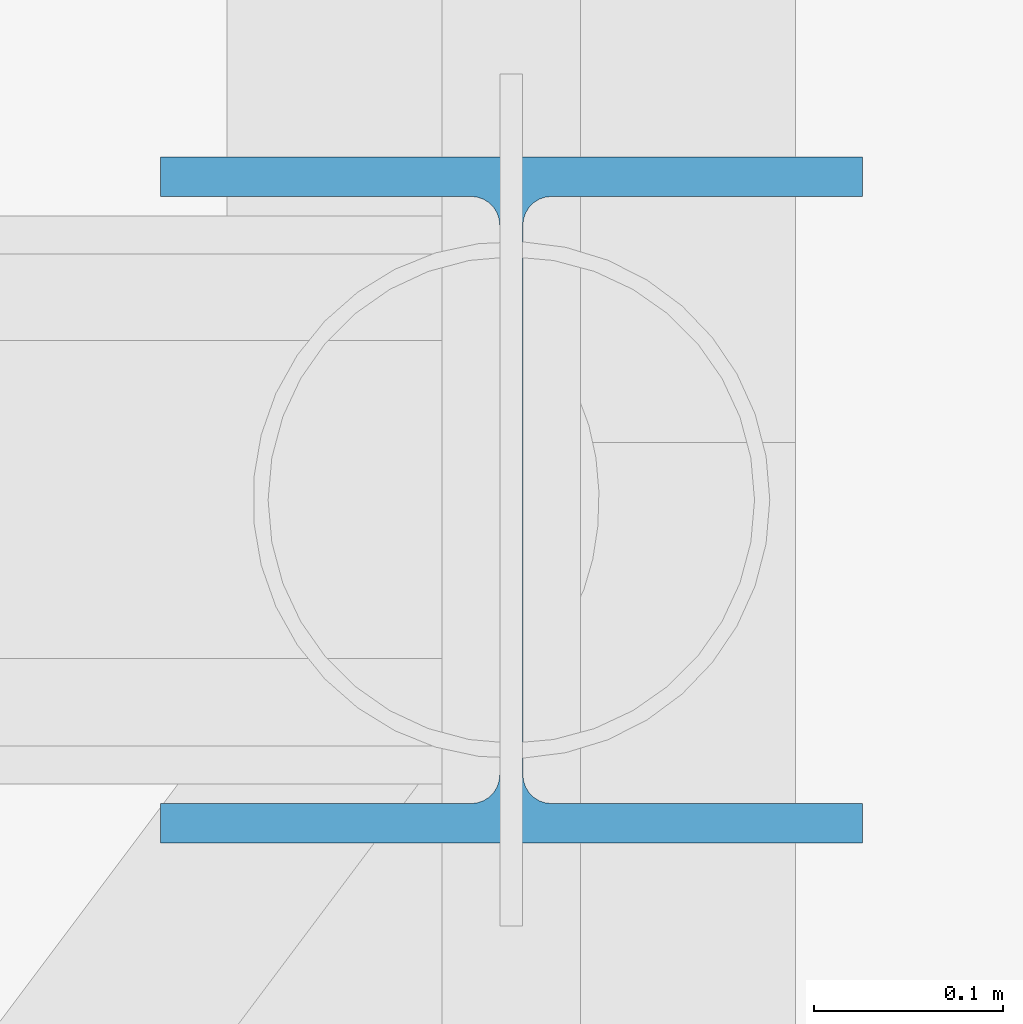
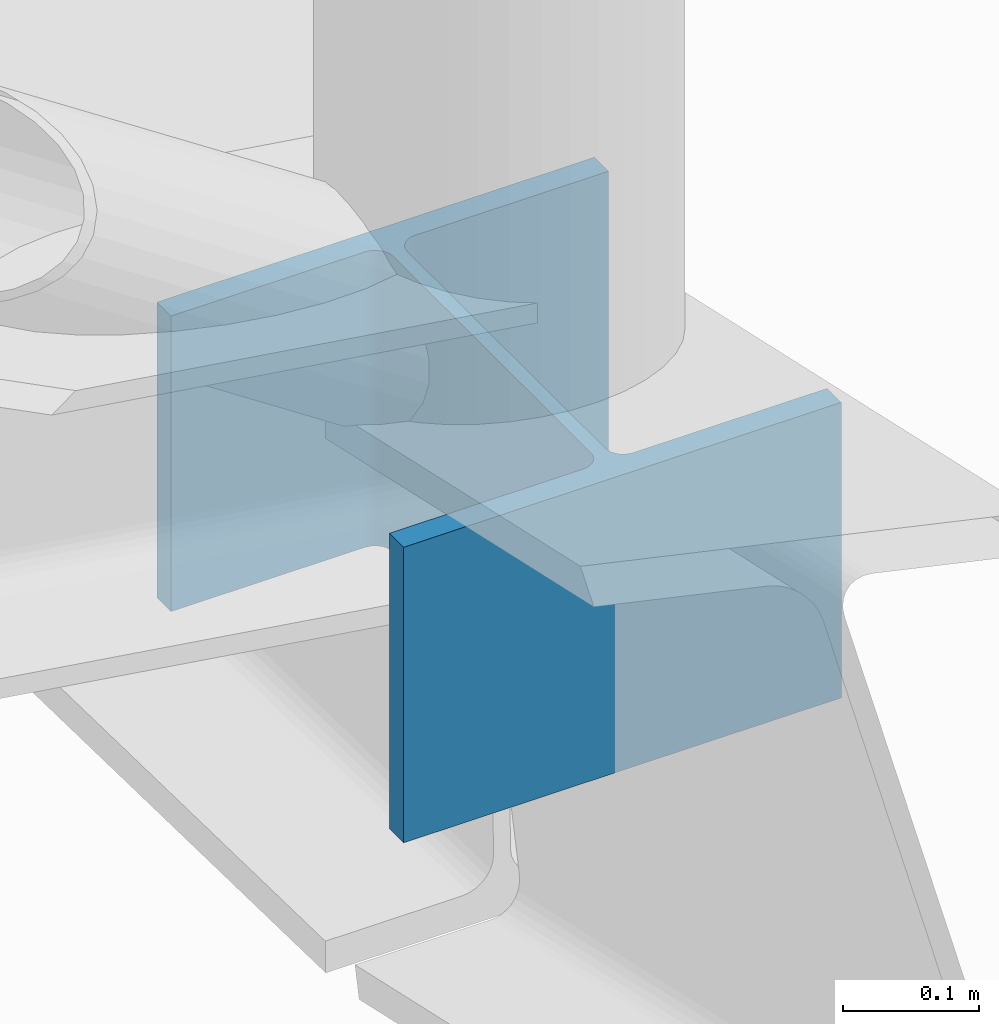
# One storey, part 14 of 262: 1 column.
"""IFC4 building model written with IfcOpenShell, lengths in metres."""

import ifcopenshell
import ifcopenshell.guid

model = None  # the IFC model being written
_history = None  # IfcOwnerHistory: only IFC2X3 demands one
_inside = {}  # id of a spatial element -> (the spatial element, [elements in it])
_under = {}  # id of a project, library or spatial element -> (it, [spatial elements below it])
_declared = {}  # id of a project -> (the project, [libraries it declares])
_typed = {}  # id of a type object -> (the type object, [elements of that type])
_made_of = {}  # id of a material, layer set ... -> (it, [elements and type objects made of it])


def new_model(schema):
    """Start an empty IFC model of exactly this schema.

    Asked for "IFC4X3", IfcOpenShell would pick the latest addendum, in which some entities
    have other attributes; the version numbers below select the first issue.
    IFC2X3 requires an IfcOwnerHistory on every rooted entity: one is made here for all.
    """
    global model, _history
    if schema == "IFC4X3":
        model = ifcopenshell.file(schema_version=(4, 3, 0, 0))
    else:
        model = ifcopenshell.file(schema=schema)
    _inside.clear()
    _under.clear()
    _declared.clear()
    _typed.clear()
    _made_of.clear()
    _history = None
    if model.schema == "IFC2X3":
        org = make("IfcOrganization", Name="unknown")
        user = make(
            "IfcPersonAndOrganization",
            ThePerson=make("IfcPerson", FamilyName="unknown"),
            TheOrganization=org,
        )
        app = make(
            "IfcApplication",
            ApplicationDeveloper=org,
            Version="unknown",
            ApplicationFullName="unknown",
            ApplicationIdentifier="unknown",
        )
        _history = make(
            "IfcOwnerHistory",
            OwningUser=user,
            OwningApplication=app,
            ChangeAction="ADDED",
            CreationDate=0,
        )
    return model


def make(cls, **values):
    """One entity of the class cls with the attributes given. An attribute that is None is left unset."""
    return model.create_entity(
        cls, **{name: value for name, value in values.items() if value is not None}
    )


def rooted(cls, **values):
    """An entity with a GlobalId (a new one), such as an element, a storey or a relation."""
    return make(cls, GlobalId=ifcopenshell.guid.new(), OwnerHistory=_history, **values)


def si_unit(unit_type, name, prefix=None):
    """IfcSIUnit, for example si_unit("LENGTHUNIT", "METRE", prefix="MILLI")."""
    return make("IfcSIUnit", UnitType=unit_type, Prefix=prefix, Name=name)


def derived_unit(unit_type, elements):
    """IfcDerivedUnit: a product of units, each with its exponent."""
    return make(
        "IfcDerivedUnit",
        Elements=[
            make("IfcDerivedUnitElement", Unit=unit, Exponent=power)
            for unit, power in elements
        ],
        UnitType=unit_type,
    )


def assignment(units):
    """IfcUnitAssignment: the units of a project."""
    return None if units is None else make("IfcUnitAssignment", Units=units)


def point(xyz):
    """IfcCartesianPoint."""
    return None if xyz is None else make("IfcCartesianPoint", Coordinates=xyz)


def direction(xyz):
    """IfcDirection."""
    return None if xyz is None else make("IfcDirection", DirectionRatios=xyz)


def frame(location, z_axis=None, x_axis=None):
    """IfcAxis2Placement3D, a coordinate frame: its origin and axes. An axis left out is left unset."""
    return make(
        "IfcAxis2Placement3D",
        Location=point(location),
        Axis=direction(z_axis),
        RefDirection=direction(x_axis),
    )


def frame_2d(location, x_axis=None):
    """IfcAxis2Placement2D, a coordinate frame in the plane: its origin and x axis."""
    return make(
        "IfcAxis2Placement2D", Location=point(location), RefDirection=direction(x_axis)
    )


def origin():
    """The frame at (0, 0, 0) with its axes left unset."""
    return frame((0.0, 0.0, 0.0))


def origin_2d():
    """The frame at (0, 0) in the plane with its x axis left unset."""
    return frame_2d((0.0, 0.0))


def place(relative_to, where):
    """IfcLocalPlacement: puts the frame where relative to a parent placement (None: the world)."""
    return make(
        "IfcLocalPlacement", PlacementRelTo=relative_to, RelativePlacement=where
    )


def context(
    kind, dimensions, precision=None, world=None, true_north=None, identifier=None
):
    """IfcGeometricRepresentationContext, for example the 3D "Model" context."""
    return make(
        "IfcGeometricRepresentationContext",
        ContextIdentifier=identifier,
        ContextType=kind,
        CoordinateSpaceDimension=dimensions,
        Precision=precision,
        WorldCoordinateSystem=world,
        TrueNorth=true_north,
    )


def subcontext(parent, identifier, kind, view, scale=None):
    """IfcGeometricRepresentationSubContext, for example "Body" below "Model"."""
    return make(
        "IfcGeometricRepresentationSubContext",
        ContextIdentifier=identifier,
        ContextType=kind,
        ParentContext=parent,
        TargetScale=scale,
        TargetView=view,
    )


def project(units=None, contexts=None):
    """IfcProject with its units and contexts."""
    return rooted(
        "IfcProject",
        Name="project",
        RepresentationContexts=contexts,
        UnitsInContext=assignment(units),
    )


def spatial(cls, under=None, at=None, **own):
    """A site, building, storey or space (cls), placed at a placement, below another one or the project."""
    s = rooted(cls, ObjectPlacement=at, **own)
    if under is not None:
        _under.setdefault(under.id(), (under, []))[1].append(s)
    return s


def profile(cls, at=None, kind="AREA", **sizes):
    """A parametric profile (cls). Its sizes go by their IFC names, for example OverallWidth=200.0."""
    return make(cls, ProfileType=kind, Position=at, **sizes)


def i_section(**sizes):
    """IfcIShapeProfileDef."""
    return profile("IfcIShapeProfileDef", **sizes)


def extrude(swept, where, along, depth):
    """IfcExtrudedAreaSolid: the profile swept, set in the frame where, extruded along a direction by depth."""
    return make(
        "IfcExtrudedAreaSolid",
        SweptArea=swept,
        Position=where,
        ExtrudedDirection=direction(along),
        Depth=depth,
    )


def shape(context_of_items, identifier, shape_type, items):
    """IfcShapeRepresentation: the items that make up one representation, for example the "Body"."""
    return make(
        "IfcShapeRepresentation",
        ContextOfItems=context_of_items,
        RepresentationIdentifier=identifier,
        RepresentationType=shape_type,
        Items=items,
    )


def material(Name=None, Category=None):
    """IfcMaterial."""
    return make("IfcMaterial", Name=Name, Category=Category)


def material_profile(
    of_material, cross_section, Name=None, Category=None, Priority=None
):
    """IfcMaterialProfile: a cross section and its material."""
    return make(
        "IfcMaterialProfile",
        Name=Name,
        Material=of_material,
        Profile=cross_section,
        Priority=Priority,
        Category=Category,
    )


def profile_set(profiles, Name=None, composite=None):
    """IfcMaterialProfileSet."""
    return make(
        "IfcMaterialProfileSet",
        Name=Name,
        MaterialProfiles=profiles,
        CompositeProfile=composite,
    )


def made_of(thing, what):
    """Note that an element or type object is made of a material, layer set ...; save() writes the relation."""
    if what is not None:
        _made_of.setdefault(what.id(), (what, []))[1].append(thing)
    return thing


def type_object(cls, material=None, **own):
    """A type object (cls), such as IfcWallType, which elements share."""
    return made_of(rooted(cls, **own), material)


def element(
    cls,
    number,
    at=None,
    inside=None,
    cuts=None,
    type_object=None,
    material=None,
    context=None,
    identifier="Body",
    shape_type=None,
    held_by="IfcProductDefinitionShape",
    body=None,
    shapes=None,
    **own,
):
    """One element of the class cls, such as IfcWall. Its Tag is "e" and its number.

    at: its placement. inside: the storey or other place that contains it. cuts: it is an
    opening in that element (IfcRelVoidsElement). A single representation is given by context,
    identifier, shape_type and body (its items); several are given by shapes. held_by: the class
    of the entity that holds the representations. save() writes the other relations.
    """
    e = rooted(cls, Tag="e%d" % number, ObjectPlacement=at, **own)
    if body is not None:
        shapes = [shape(context, identifier, shape_type, body)]
    if shapes is not None:
        e.Representation = make(held_by, Representations=shapes)
    if inside is not None:
        _inside.setdefault(inside.id(), (inside, []))[1].append(e)
    if cuts is not None:
        rooted(
            "IfcRelVoidsElement", RelatingBuildingElement=cuts, RelatedOpeningElement=e
        )
    if type_object is not None:
        _typed.setdefault(type_object.id(), (type_object, []))[1].append(e)
    return made_of(e, material)


def aggregate(whole, parts):
    """IfcRelAggregates: a whole, such as a stair, and the parts it consists of."""
    return rooted("IfcRelAggregates", RelatingObject=whole, RelatedObjects=parts)


def save(model, path):
    """Write the relations noted so far, then the file.

    IfcRelAggregates (storeys below a building ...), IfcRelContainedInSpatialStructure (elements
    in a storey), IfcRelDefinesByType, IfcRelAssociatesMaterial and IfcRelDeclares: one each for
    every whole, place, type object, material and project.
    """
    for whole, parts in _under.values():
        aggregate(whole, parts)
    for where, things in _inside.values():
        rooted(
            "IfcRelContainedInSpatialStructure",
            RelatedElements=things,
            RelatingStructure=where,
        )
    for kind, things in _typed.values():
        rooted("IfcRelDefinesByType", RelatedObjects=things, RelatingType=kind)
    for what, things in _made_of.values():
        rooted("IfcRelAssociatesMaterial", RelatedObjects=things, RelatingMaterial=what)
    for by, libraries in _declared.values():
        rooted("IfcRelDeclares", RelatingContext=by, RelatedDefinitions=libraries)
    model.write(path)


model = new_model("IFC4")

# Units and contexts
model_context = context("Model", 3, precision=1e-05, world=origin(), true_north=direction((0.0, 1.0)))
body_context = subcontext(model_context, "Body", "Model", "MODEL_VIEW")
ifc_project = project(units=[si_unit("LENGTHUNIT", "METRE"), si_unit("AREAUNIT", "SQUARE_METRE"), si_unit("VOLUMEUNIT", "CUBIC_METRE"), si_unit("PLANEANGLEUNIT", "RADIAN"), si_unit("MASSUNIT", "GRAM", prefix="KILO"), derived_unit("THERMALTRANSMITTANCEUNIT", [(si_unit("POWERUNIT", "WATT"), 1), (si_unit("LENGTHUNIT", "METRE"), -2), (si_unit("THERMODYNAMICTEMPERATUREUNIT", "KELVIN"), -1)])], contexts=[model_context])

# Site, building, storey
site_placement = place(None, origin())
site = spatial("IfcSite", under=ifc_project, at=site_placement, CompositionType="ELEMENT")
building_placement = place(site_placement, origin())
building = spatial("IfcBuilding", under=site, at=building_placement, Name="Almenara Railside Exhibition Hall", CompositionType="ELEMENT")
storey_placement = place(building_placement, frame((0.0, 0.0, 21.699951171875)))
storey = spatial("IfcBuildingStorey", under=building, at=storey_placement, Name="RF", CompositionType="ELEMENT", Elevation=21.699951171875)

# Column
ifc_material = material(Name="Structural steel S355JR", Category="steel")
ifc_material_profile = material_profile(ifc_material, i_section(OverallWidth=0.37060546875, OverallDepth=0.362060546875, WebThickness=0.01220703125, FlangeThickness=0.020751953125, FilletRadius=0.01513671875, at=origin_2d()), Name="UC 356x368x153")
ifc_profile_set = profile_set([ifc_material_profile], Name="Structural steel S355JR")
column_type = type_object("IfcColumnType", Name="Steel Column UC 356x368x153 S355JR", PredefinedType="COLUMN", material=ifc_profile_set)
column_placement = place(storey_placement, frame((66.0, 72.0, -2.39990234375), z_axis=(0.0, 0.0, 1.0), x_axis=(1.0, 0.0, 0.0)))
element("IfcColumn", 1, at=column_placement, inside=storey, type_object=column_type, Name="V1 scroll portal column 3", PredefinedType="COLUMN", context=body_context, shape_type="SweptSolid", body=[
    extrude(i_section(OverallWidth=0.37060546875, OverallDepth=0.362060546875, WebThickness=0.01220703125, FlangeThickness=0.020751953125, FilletRadius=0.01513671875, at=origin_2d()), origin(), (0.0, 0.0, 1.0), 0.2646484375),
])

save(model, "model.ifc")
